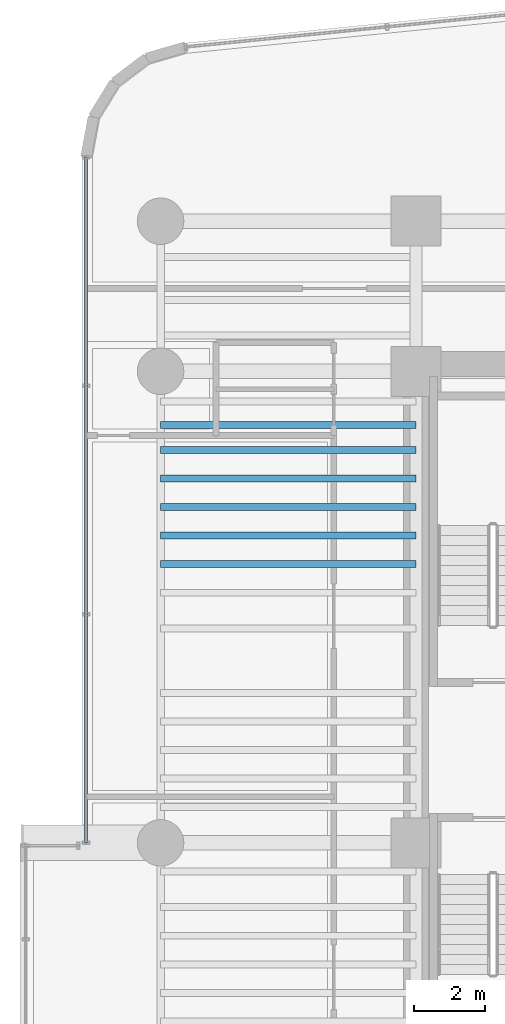
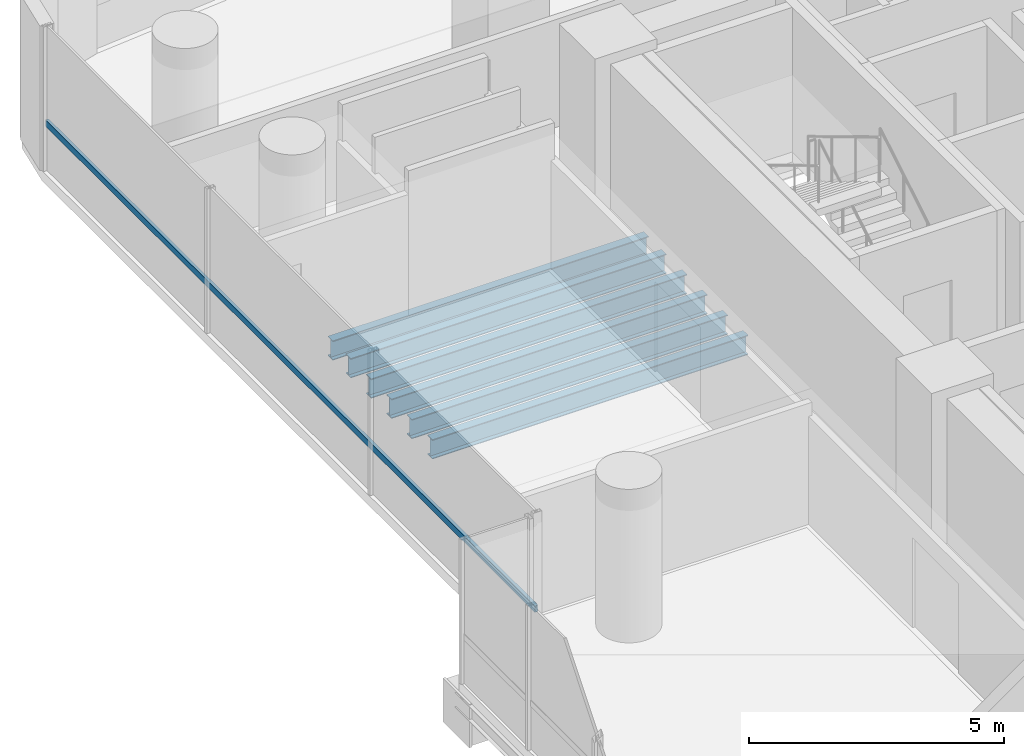
# One storey, part 9 of 41: 6 beams, 1 member, 1 element without a shape of its own.
"""IFC4 building model written with IfcOpenShell, lengths in metres."""

from ifc_helpers import new_model, si_unit, direction, frame, origin, origin_2d, place, context, subcontext, project, spatial, hollow_rectangle, i_section, extrude, source, transform, mapped, material, material_profile, profile_set, type_object, element, aggregate, save


model = new_model("IFC4")

# Units and contexts
model_context = context("Model", 3, precision=1e-05, world=origin(), true_north=direction((0.0, 1.0)))
body_context = subcontext(model_context, "Body", "Model", "MODEL_VIEW")
ifc_project = project(units=[si_unit("LENGTHUNIT", "METRE"), si_unit("AREAUNIT", "SQUARE_METRE"), si_unit("VOLUMEUNIT", "CUBIC_METRE"), si_unit("PLANEANGLEUNIT", "RADIAN"), si_unit("MASSUNIT", "GRAM", prefix="KILO")], contexts=[model_context])

# Site, building, storey
site_placement = place(None, origin())
site = spatial("IfcSite", under=ifc_project, at=site_placement, CompositionType="ELEMENT")
building_placement = place(site_placement, origin())
building = spatial("IfcBuilding", under=site, at=building_placement, Name="Valdorenza Pilgrim Sanctuary Tower", CompositionType="ELEMENT")
storey_placement = place(building_placement, frame((0.0, 0.0, 63.0)))
storey = spatial("IfcBuildingStorey", under=building, at=storey_placement, Name="L15", CompositionType="ELEMENT", Elevation=63.0)

# Beams
ifc_material_1 = material(Name="Steel ASTM A992 Grade 50", Category="steel")
ifc_material_profile_1 = material_profile(ifc_material_1, i_section(OverallWidth=0.193115234375, OverallDepth=0.466064453125, WebThickness=0.011474609375, FlangeThickness=0.01904296875, at=origin_2d()), Name="W18X65")
ifc_profile_set_1 = profile_set([ifc_material_profile_1], Name="Steel ASTM A992 Grade 50")
beam_type = type_object("IfcBeamType", Name="STR-BM-JST-W18A", PredefinedType="JOIST", material=ifc_profile_set_1)
shared_shape_1 = source(origin(), body_context, "Body", "SweptSolid", [
    extrude(i_section(OverallWidth=0.193115234375, OverallDepth=0.466064453125, WebThickness=0.011474609375, FlangeThickness=0.01904296875, at=origin_2d()), origin(), (0.0, 0.0, 1.0), 7.150146484375),
])
for number, where, z_axis, x_axis, name in (
    (1, (-29.800048828125, 5.199951171875, -0.472900390625), (1.0, 0.0, 0.0), (0.0, 1.0, 0.0), "L15 Composite Floor Joist JST-WA-17"),
    (2, (-29.800048828125, 6.0, -0.472900390625), (1.0, 0.0, 0.0), (0.0, 1.0, 0.0), "L15 Composite Floor Joist JST-WA-18"),
    (3, (-29.800048828125, 6.800048828125, -0.472900390625), (1.0, 0.0, 0.0), (0.0, 1.0, 0.0), "L15 Composite Floor Joist JST-WA-19"),
    (4, (-29.800048828125, 7.60009765625, -0.472900390625), (1.0, 0.0, 0.0), (0.0, 1.0, 0.0), "L15 Composite Floor Joist JST-WA-20"),
    (5, (-29.800048828125, 8.39990234375, -0.472900390625), (1.0, 0.0, 0.0), (0.0, 1.0, 0.0), "L15 Composite Floor Joist JST-WA-21"),
    (6, (-29.800048828125, 9.10009765625, -0.472900390625), (1.0, 0.0, 0.0), (0.0, 1.0, 0.0), "L15 Composite Floor Joist JST-WA-22"),
):
    element("IfcBeam", number, at=place(storey_placement, frame(where, z_axis=z_axis, x_axis=x_axis)), inside=storey, type_object=beam_type, Name=name, PredefinedType="JOIST", context=body_context, shape_type="MappedRepresentation", body=[
        mapped(shared_shape_1, transform((0.0, 0.0, 0.0), x_axis=(1.0, 0.0, 0.0), y_axis=(0.0, 1.0, 0.0), z_axis=(0.0, 0.0, 1.0), scale=1.0)),
    ])

# Curtain wall, member
ifc_material_2 = material(Name="Curtain-wall IGU glazing", Category="glass")
curtain_wall_type = type_object("IfcCurtainWallType", Name="CW-SYS-02", PredefinedType="NOTDEFINED", material=ifc_material_2)
curtain_wall_placement = place(storey_placement, origin())
curtain_wall = element("IfcCurtainWall", 7, at=curtain_wall_placement, inside=storey, type_object=curtain_wall_type, Name="L15 Curtain Wall CW-L15-1-1S2", PredefinedType="NOTDEFINED")
ifc_material_3 = material(Name="Anodised aluminium AW-6060", Category="aluminium")
ifc_material_profile_2 = material_profile(ifc_material_3, hollow_rectangle(XDim=0.074951171875, YDim=0.14990234375, WallThickness=0.00390625, at=origin_2d()), Name="ALU-T 150x75x4")
ifc_profile_set_2 = profile_set([ifc_material_profile_2], Name="Anodised aluminium AW-6060")
member_type = type_object("IfcMemberType", Name="CW-TRN-02", PredefinedType="USERDEFINED", material=ifc_profile_set_2)
shared_shape_2 = source(origin(), body_context, "Body", "SweptSolid", [
    extrude(hollow_rectangle(XDim=0.074951171875, YDim=0.14990234375, WallThickness=0.00390625, at=origin_2d()), origin(), (0.0, 0.0, 1.0), 19.194091796875),
])
member_placement = place(storey_placement, frame((-31.889892578125, -2.60009765625, 1.1201171875), z_axis=(0.0, 1.0, 0.0), x_axis=(-1.0, 0.0, 0.0)))
member = element("IfcMember", 8, at=member_placement, type_object=member_type, Name="CW-L15-1-1S2 Transom 1", ObjectType="TRANSOM", PredefinedType="USERDEFINED", context=body_context, shape_type="MappedRepresentation", body=[
    mapped(shared_shape_2, transform((0.0, 0.0, 0.0), x_axis=(1.0, 0.0, 0.0), y_axis=(0.0, 1.0, 0.0), z_axis=(0.0, 0.0, 1.0), scale=1.0)),
])
aggregate(curtain_wall, [member])

save(model, "model.ifc")
